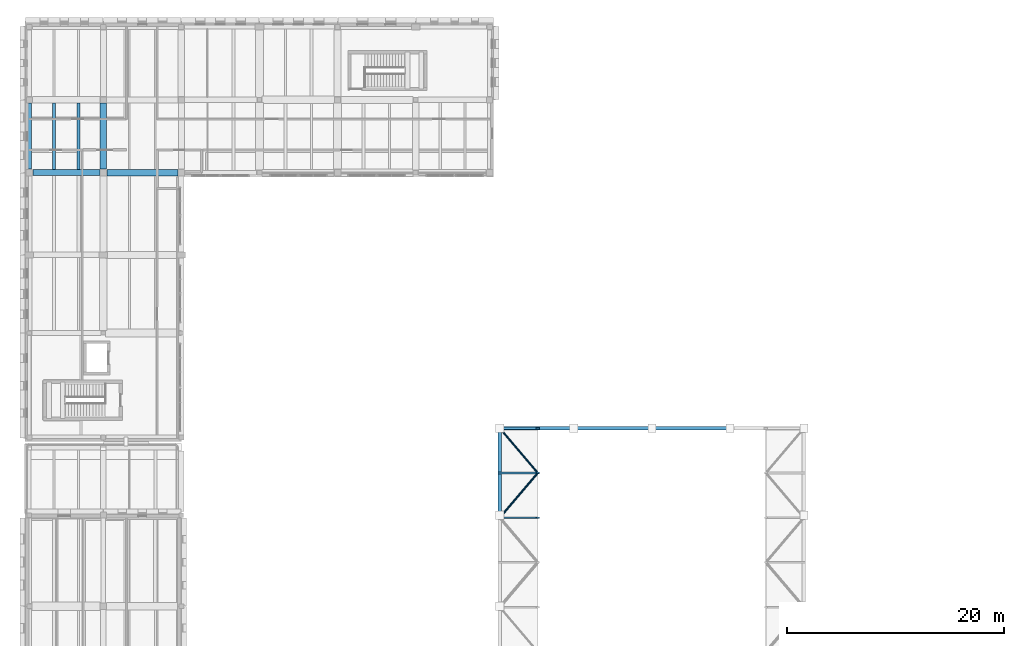
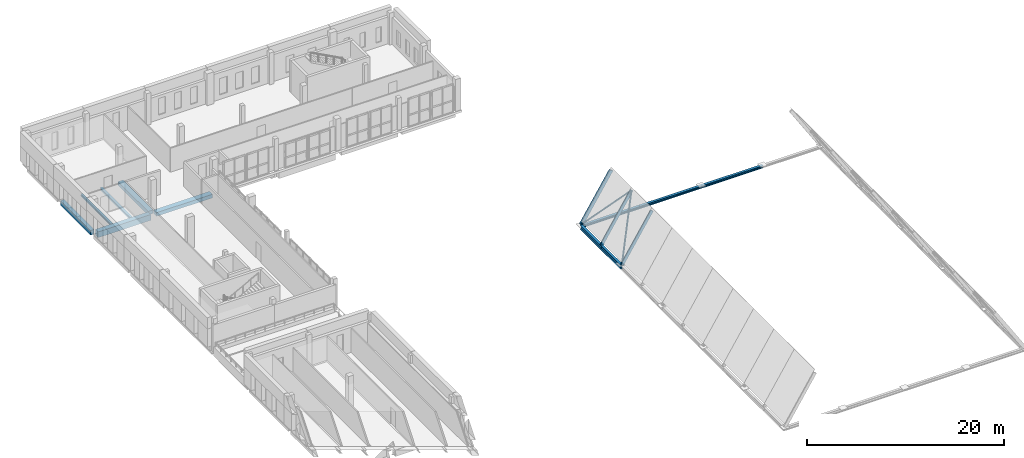
# One storey, part 16 of 56: 11 beams, 5 members.
"""IFC4 building model written with IfcOpenShell, lengths in metres."""

import ifcopenshell
import ifcopenshell.guid

model = None  # the IFC model being written
_history = None  # IfcOwnerHistory: only IFC2X3 demands one
_inside = {}  # id of a spatial element -> (the spatial element, [elements in it])
_under = {}  # id of a project, library or spatial element -> (it, [spatial elements below it])
_declared = {}  # id of a project -> (the project, [libraries it declares])
_typed = {}  # id of a type object -> (the type object, [elements of that type])
_made_of = {}  # id of a material, layer set ... -> (it, [elements and type objects made of it])


def new_model(schema):
    """Start an empty IFC model of exactly this schema.

    Asked for "IFC4X3", IfcOpenShell would pick the latest addendum, in which some entities
    have other attributes; the version numbers below select the first issue.
    IFC2X3 requires an IfcOwnerHistory on every rooted entity: one is made here for all.
    """
    global model, _history
    if schema == "IFC4X3":
        model = ifcopenshell.file(schema_version=(4, 3, 0, 0))
    else:
        model = ifcopenshell.file(schema=schema)
    _inside.clear()
    _under.clear()
    _declared.clear()
    _typed.clear()
    _made_of.clear()
    _history = None
    if model.schema == "IFC2X3":
        org = make("IfcOrganization", Name="unknown")
        user = make(
            "IfcPersonAndOrganization",
            ThePerson=make("IfcPerson", FamilyName="unknown"),
            TheOrganization=org,
        )
        app = make(
            "IfcApplication",
            ApplicationDeveloper=org,
            Version="unknown",
            ApplicationFullName="unknown",
            ApplicationIdentifier="unknown",
        )
        _history = make(
            "IfcOwnerHistory",
            OwningUser=user,
            OwningApplication=app,
            ChangeAction="ADDED",
            CreationDate=0,
        )
    return model


def make(cls, **values):
    """One entity of the class cls with the attributes given. An attribute that is None is left unset."""
    return model.create_entity(
        cls, **{name: value for name, value in values.items() if value is not None}
    )


def rooted(cls, **values):
    """An entity with a GlobalId (a new one), such as an element, a storey or a relation."""
    return make(cls, GlobalId=ifcopenshell.guid.new(), OwnerHistory=_history, **values)


def si_unit(unit_type, name, prefix=None):
    """IfcSIUnit, for example si_unit("LENGTHUNIT", "METRE", prefix="MILLI")."""
    return make("IfcSIUnit", UnitType=unit_type, Prefix=prefix, Name=name)


def assignment(units):
    """IfcUnitAssignment: the units of a project."""
    return None if units is None else make("IfcUnitAssignment", Units=units)


def point(xyz):
    """IfcCartesianPoint."""
    return None if xyz is None else make("IfcCartesianPoint", Coordinates=xyz)


def direction(xyz):
    """IfcDirection."""
    return None if xyz is None else make("IfcDirection", DirectionRatios=xyz)


def frame(location, z_axis=None, x_axis=None):
    """IfcAxis2Placement3D, a coordinate frame: its origin and axes. An axis left out is left unset."""
    return make(
        "IfcAxis2Placement3D",
        Location=point(location),
        Axis=direction(z_axis),
        RefDirection=direction(x_axis),
    )


def frame_2d(location, x_axis=None):
    """IfcAxis2Placement2D, a coordinate frame in the plane: its origin and x axis."""
    return make(
        "IfcAxis2Placement2D", Location=point(location), RefDirection=direction(x_axis)
    )


def origin():
    """The frame at (0, 0, 0) with its axes left unset."""
    return frame((0.0, 0.0, 0.0))


def origin_2d():
    """The frame at (0, 0) in the plane with its x axis left unset."""
    return frame_2d((0.0, 0.0))


def place(relative_to, where):
    """IfcLocalPlacement: puts the frame where relative to a parent placement (None: the world)."""
    return make(
        "IfcLocalPlacement", PlacementRelTo=relative_to, RelativePlacement=where
    )


def context(
    kind, dimensions, precision=None, world=None, true_north=None, identifier=None
):
    """IfcGeometricRepresentationContext, for example the 3D "Model" context."""
    return make(
        "IfcGeometricRepresentationContext",
        ContextIdentifier=identifier,
        ContextType=kind,
        CoordinateSpaceDimension=dimensions,
        Precision=precision,
        WorldCoordinateSystem=world,
        TrueNorth=true_north,
    )


def subcontext(parent, identifier, kind, view, scale=None):
    """IfcGeometricRepresentationSubContext, for example "Body" below "Model"."""
    return make(
        "IfcGeometricRepresentationSubContext",
        ContextIdentifier=identifier,
        ContextType=kind,
        ParentContext=parent,
        TargetScale=scale,
        TargetView=view,
    )


def project(units=None, contexts=None):
    """IfcProject with its units and contexts."""
    return rooted(
        "IfcProject",
        Name="project",
        RepresentationContexts=contexts,
        UnitsInContext=assignment(units),
    )


def spatial(cls, under=None, at=None, **own):
    """A site, building, storey or space (cls), placed at a placement, below another one or the project."""
    s = rooted(cls, ObjectPlacement=at, **own)
    if under is not None:
        _under.setdefault(under.id(), (under, []))[1].append(s)
    return s


def profile(cls, at=None, kind="AREA", **sizes):
    """A parametric profile (cls). Its sizes go by their IFC names, for example OverallWidth=200.0."""
    return make(cls, ProfileType=kind, Position=at, **sizes)


def rectangle(**sizes):
    """IfcRectangleProfileDef."""
    return profile("IfcRectangleProfileDef", **sizes)


def hollow_rectangle(**sizes):
    """IfcRectangleHollowProfileDef."""
    return profile("IfcRectangleHollowProfileDef", **sizes)


def hollow_circle(**sizes):
    """IfcCircleHollowProfileDef."""
    return profile("IfcCircleHollowProfileDef", **sizes)


def i_section(**sizes):
    """IfcIShapeProfileDef."""
    return profile("IfcIShapeProfileDef", **sizes)


def extrude(swept, where, along, depth):
    """IfcExtrudedAreaSolid: the profile swept, set in the frame where, extruded along a direction by depth."""
    return make(
        "IfcExtrudedAreaSolid",
        SweptArea=swept,
        Position=where,
        ExtrudedDirection=direction(along),
        Depth=depth,
    )


def shape(context_of_items, identifier, shape_type, items):
    """IfcShapeRepresentation: the items that make up one representation, for example the "Body"."""
    return make(
        "IfcShapeRepresentation",
        ContextOfItems=context_of_items,
        RepresentationIdentifier=identifier,
        RepresentationType=shape_type,
        Items=items,
    )


def material(Name=None, Category=None):
    """IfcMaterial."""
    return make("IfcMaterial", Name=Name, Category=Category)


def material_profile(
    of_material, cross_section, Name=None, Category=None, Priority=None
):
    """IfcMaterialProfile: a cross section and its material."""
    return make(
        "IfcMaterialProfile",
        Name=Name,
        Material=of_material,
        Profile=cross_section,
        Priority=Priority,
        Category=Category,
    )


def profile_set(profiles, Name=None, composite=None):
    """IfcMaterialProfileSet."""
    return make(
        "IfcMaterialProfileSet",
        Name=Name,
        MaterialProfiles=profiles,
        CompositeProfile=composite,
    )


def made_of(thing, what):
    """Note that an element or type object is made of a material, layer set ...; save() writes the relation."""
    if what is not None:
        _made_of.setdefault(what.id(), (what, []))[1].append(thing)
    return thing


def type_object(cls, material=None, **own):
    """A type object (cls), such as IfcWallType, which elements share."""
    return made_of(rooted(cls, **own), material)


def element(
    cls,
    number,
    at=None,
    inside=None,
    cuts=None,
    type_object=None,
    material=None,
    context=None,
    identifier="Body",
    shape_type=None,
    held_by="IfcProductDefinitionShape",
    body=None,
    shapes=None,
    **own,
):
    """One element of the class cls, such as IfcWall. Its Tag is "e" and its number.

    at: its placement. inside: the storey or other place that contains it. cuts: it is an
    opening in that element (IfcRelVoidsElement). A single representation is given by context,
    identifier, shape_type and body (its items); several are given by shapes. held_by: the class
    of the entity that holds the representations. save() writes the other relations.
    """
    e = rooted(cls, Tag="e%d" % number, ObjectPlacement=at, **own)
    if body is not None:
        shapes = [shape(context, identifier, shape_type, body)]
    if shapes is not None:
        e.Representation = make(held_by, Representations=shapes)
    if inside is not None:
        _inside.setdefault(inside.id(), (inside, []))[1].append(e)
    if cuts is not None:
        rooted(
            "IfcRelVoidsElement", RelatingBuildingElement=cuts, RelatedOpeningElement=e
        )
    if type_object is not None:
        _typed.setdefault(type_object.id(), (type_object, []))[1].append(e)
    return made_of(e, material)


def aggregate(whole, parts):
    """IfcRelAggregates: a whole, such as a stair, and the parts it consists of."""
    return rooted("IfcRelAggregates", RelatingObject=whole, RelatedObjects=parts)


def save(model, path):
    """Write the relations noted so far, then the file.

    IfcRelAggregates (storeys below a building ...), IfcRelContainedInSpatialStructure (elements
    in a storey), IfcRelDefinesByType, IfcRelAssociatesMaterial and IfcRelDeclares: one each for
    every whole, place, type object, material and project.
    """
    for whole, parts in _under.values():
        aggregate(whole, parts)
    for where, things in _inside.values():
        rooted(
            "IfcRelContainedInSpatialStructure",
            RelatedElements=things,
            RelatingStructure=where,
        )
    for kind, things in _typed.values():
        rooted("IfcRelDefinesByType", RelatedObjects=things, RelatingType=kind)
    for what, things in _made_of.values():
        rooted("IfcRelAssociatesMaterial", RelatedObjects=things, RelatingMaterial=what)
    for by, libraries in _declared.values():
        rooted("IfcRelDeclares", RelatingContext=by, RelatedDefinitions=libraries)
    model.write(path)


model = new_model("IFC4")

# Units and contexts
model_context = context("Model", 3, precision=1e-05, world=origin(), true_north=direction((0.0, 1.0)))
body_context = subcontext(model_context, "Body", "Model", "MODEL_VIEW")
ifc_project = project(units=[si_unit("LENGTHUNIT", "METRE"), si_unit("AREAUNIT", "SQUARE_METRE"), si_unit("VOLUMEUNIT", "CUBIC_METRE"), si_unit("PLANEANGLEUNIT", "RADIAN"), si_unit("MASSUNIT", "GRAM", prefix="KILO")], contexts=[model_context])

# Site, building, storey
site_placement = place(None, origin())
site = spatial("IfcSite", under=ifc_project, at=site_placement, CompositionType="ELEMENT")
building_placement = place(site_placement, origin())
building = spatial("IfcBuilding", under=site, at=building_placement, Name="Vardoun Plaza Health Centre", CompositionType="ELEMENT")
storey_placement = place(building_placement, frame((0.0, 0.0, 8.699951171875)))
storey = spatial("IfcBuildingStorey", under=building, at=storey_placement, Name="L02", CompositionType="ELEMENT", Elevation=8.699951171875)

# Beams
ifc_material_1 = material(Name="Concrete C35/45", Category="concrete")
ifc_material_profile_1 = material_profile(ifc_material_1, rectangle(XDim=0.419921875, YDim=0.580078125, at=origin_2d()), Name="RC-BM 420x580")
ifc_profile_set_1 = profile_set([ifc_material_profile_1], Name="Concrete C35/45")
beam_type_1 = type_object("IfcBeamType", Name="B-10", PredefinedType="SPANDREL", material=ifc_profile_set_1)
beam_1_placement = place(storey_placement, frame((4.8798828125, 101.804931640625, -0.554931640625), z_axis=(0.0, 1.0, 0.0), x_axis=(-1.0, 0.0, 0.0)))
element("IfcBeam", 1, at=beam_1_placement, inside=storey, type_object=beam_type_1, Name="V3 L02 Beam B-V3-L02-Y28", PredefinedType="SPANDREL", context=body_context, shape_type="SweptSolid", body=[
    extrude(rectangle(XDim=0.419921875, YDim=0.580078125, at=origin_2d()), origin(), (0.0, 0.0, 1.0), 6.09521484375),
])
ifc_material_2 = material(Name="Concrete C40/50", Category="concrete")
ifc_material_profile_2 = material_profile(ifc_material_2, rectangle(XDim=0.550048828125, YDim=0.719970703125, at=origin_2d()), Name="RC-BM 550x720")
ifc_profile_set_2 = profile_set([ifc_material_profile_2], Name="Concrete C40/50")
beam_type_2 = type_object("IfcBeamType", Name="B-14", PredefinedType="BEAM", material=ifc_profile_set_2)
beam_2_placement = place(storey_placement, frame((5.205078125, 101.47998046875, -0.625), z_axis=(1.0, 0.0, 0.0), x_axis=(0.0, 1.0, 0.0)))
element("IfcBeam", 2, at=beam_2_placement, inside=storey, type_object=beam_type_2, Name="V3 L02 Beam B-V3-L02-X04", PredefinedType="BEAM", context=body_context, shape_type="SweptSolid", body=[
    extrude(rectangle(XDim=0.550048828125, YDim=0.719970703125, at=origin_2d()), origin(), (0.0, 0.0, 1.0), 6.169921875),
])
ifc_material_3 = material(Name="Concrete C35/45", Category="concrete")
ifc_material_profile_3 = material_profile(ifc_material_3, rectangle(XDim=0.60009765625, YDim=0.449951171875, at=origin_2d()), Name="RC-BM 600x450")
ifc_profile_set_3 = profile_set([ifc_material_profile_3], Name="Concrete C35/45")
beam_type_3 = type_object("IfcBeamType", Name="B-04", PredefinedType="BEAM", material=ifc_profile_set_3)
beam_3_placement = place(storey_placement, frame((12.02490234375, 101.47998046875, -0.489990234375), z_axis=(1.0, 0.0, 0.0), x_axis=(0.0, 1.0, 0.0)))
element("IfcBeam", 3, at=beam_3_placement, inside=storey, type_object=beam_type_3, Name="V3 L02 Beam B-V3-L02-X10", PredefinedType="BEAM", context=body_context, shape_type="SweptSolid", body=[
    extrude(rectangle(XDim=0.60009765625, YDim=0.449951171875, at=origin_2d()), origin(), (0.0, 0.0, 1.0), 6.550048828125),
])
beam_4_placement = place(storey_placement, frame((11.699951171875, 101.804931640625, -0.489990234375), z_axis=(0.0, 1.0, 0.0), x_axis=(-1.0, 0.0, 0.0)))
element("IfcBeam", 4, at=beam_4_placement, inside=storey, type_object=beam_type_3, Name="V3 L02 Beam B-V3-L02-Y32", PredefinedType="BEAM", context=body_context, shape_type="SweptSolid", body=[
    extrude(rectangle(XDim=0.60009765625, YDim=0.449951171875, at=origin_2d()), origin(), (0.0, 0.0, 1.0), 6.09521484375),
])
ifc_material_4 = material(Name="Steel S355J2", Category="steel")
ifc_material_profile_4 = material_profile(ifc_material_4, i_section(OverallWidth=0.239990234375, OverallDepth=0.22998046875, WebThickness=0.007568359375, FlangeThickness=0.011962890625, FilletRadius=0.02099609375, at=origin_2d()), Name="HEA 240")
ifc_profile_set_4 = profile_set([ifc_material_profile_4], Name="Steel S355J2")
beam_type_4 = type_object("IfcBeamType", Name="SB-07", PredefinedType="BEAM", material=ifc_profile_set_4)
beam_5_placement = place(storey_placement, frame((7.153076171875, 101.7548828125, -0.3798828125), z_axis=(0.0, 1.0, 0.0), x_axis=(-1.0, 0.0, 0.0)))
element("IfcBeam", 5, at=beam_5_placement, inside=storey, type_object=beam_type_4, Name="V3 L02 Secondary Floor Beam SJ-V3-L02-03", PredefinedType="BEAM", context=body_context, shape_type="SweptSolid", body=[
    extrude(i_section(OverallWidth=0.239990234375, OverallDepth=0.22998046875, WebThickness=0.007568359375, FlangeThickness=0.011962890625, FilletRadius=0.02099609375, at=origin_2d()), origin(), (0.0, 0.0, 1.0), 6.145263671875),
])
ifc_material_5 = material(Name="Steel S355J2", Category="steel")
ifc_material_profile_5 = material_profile(ifc_material_5, i_section(OverallWidth=0.280029296875, OverallDepth=0.280029296875, WebThickness=0.010498046875, FlangeThickness=0.01806640625, FilletRadius=0.02392578125, at=origin_2d()), Name="HEB 280")
ifc_profile_set_5 = profile_set([ifc_material_profile_5], Name="Steel S355J2")
beam_type_5 = type_object("IfcBeamType", Name="SB-02", PredefinedType="BEAM", material=ifc_profile_set_5)
beam_6_placement = place(storey_placement, frame((9.427001953125, 101.7548828125, -0.405029296875), z_axis=(0.0, 1.0, 0.0), x_axis=(-1.0, 0.0, 0.0)))
element("IfcBeam", 6, at=beam_6_placement, inside=storey, type_object=beam_type_5, Name="V3 L02 Secondary Floor Beam SJ-V3-L02-07", PredefinedType="BEAM", context=body_context, shape_type="SweptSolid", body=[
    extrude(i_section(OverallWidth=0.280029296875, OverallDepth=0.280029296875, WebThickness=0.010498046875, FlangeThickness=0.01806640625, FilletRadius=0.02392578125, at=origin_2d()), origin(), (0.0, 0.0, 1.0), 6.145263671875),
])
ifc_material_6 = material(Name="Steel S355J2", Category="steel")
ifc_material_profile_6 = material_profile(ifc_material_6, i_section(OverallWidth=0.300048828125, OverallDepth=0.300048828125, WebThickness=0.010986328125, FlangeThickness=0.01904296875, FilletRadius=0.027099609375, at=origin_2d()), Name="HEB 300")
ifc_profile_set_6 = profile_set([ifc_material_profile_6], Name="Steel S355J2")
beam_type_6 = type_object("IfcBeamType", Name="SB-01", PredefinedType="BEAM", material=ifc_profile_set_6)
beam_7_placement = place(storey_placement, frame((48.260009765625, 77.919921875, -0.5), z_axis=(1.0, 0.0, 0.0), x_axis=(0.0, 1.0, 0.0)))
element("IfcBeam", 7, at=beam_7_placement, inside=storey, type_object=beam_type_6, Name="Gridshell Gable Tie Beam N01", PredefinedType="BEAM", context=body_context, shape_type="SweptSolid", body=[
    extrude(i_section(OverallWidth=0.300048828125, OverallDepth=0.300048828125, WebThickness=0.010986328125, FlangeThickness=0.01904296875, FilletRadius=0.027099609375, at=origin_2d()), origin(), (0.0, 0.0, 1.0), 6.820068359375),
])
for number, where, z_axis, x_axis, name in (
    (8, (55.080078125, 77.919921875, -0.5), (1.0, 0.0, 0.0), (0.0, 1.0, 0.0), "Gridshell Gable Tie Beam N02"),
    (9, (62.280029296875, 77.919921875, -0.5), (1.0, 0.0, 0.0), (0.0, 1.0, 0.0), "Gridshell Gable Tie Beam N03"),
):
    element("IfcBeam", number, at=place(storey_placement, frame(where, z_axis=z_axis, x_axis=x_axis)), inside=storey, type_object=beam_type_6, Name=name, PredefinedType="BEAM", context=body_context, shape_type="SweptSolid", body=[
        extrude(i_section(OverallWidth=0.300048828125, OverallDepth=0.300048828125, WebThickness=0.010986328125, FlangeThickness=0.01904296875, FilletRadius=0.027099609375, at=origin_2d()), origin(), (0.0, 0.0, 1.0), 7.199951171875),
    ])
ifc_material_7 = material(Name="Steel S355J2", Category="steel")
ifc_material_profile_7 = material_profile(ifc_material_7, i_section(OverallWidth=0.300048828125, OverallDepth=0.5, WebThickness=0.014404296875, FlangeThickness=0.028076171875, FilletRadius=0.027099609375, at=origin_2d()), Name="HEB 500")
ifc_profile_set_7 = profile_set([ifc_material_profile_7], Name="Steel S355J2")
beam_type_7 = type_object("IfcBeamType", Name="RB-01", PredefinedType="BEAM", material=ifc_profile_set_7)
beam_8_placement = place(storey_placement, frame((48.260009765625, 69.672119140625, -0.550048828125), z_axis=(0.0, 1.0, 0.0), x_axis=(-1.0, 0.0, 0.0)))
element("IfcBeam", 10, at=beam_8_placement, inside=storey, type_object=beam_type_7, Name="Gridshell Ring Beam W09", PredefinedType="BEAM", context=body_context, shape_type="SweptSolid", body=[
    extrude(i_section(OverallWidth=0.300048828125, OverallDepth=0.5, WebThickness=0.014404296875, FlangeThickness=0.028076171875, FilletRadius=0.027099609375, at=origin_2d()), origin(), (0.0, 0.0, 1.0), 4.123779296875),
])
beam_9_placement = place(storey_placement, frame((48.260009765625, 73.7958984375, -0.550048828125), z_axis=(0.0, 1.0, 0.0), x_axis=(-1.0, 0.0, 0.0)))
element("IfcBeam", 11, at=beam_9_placement, inside=storey, type_object=beam_type_7, Name="Gridshell Ring Beam W10", PredefinedType="BEAM", context=body_context, shape_type="SweptSolid", body=[
    extrude(i_section(OverallWidth=0.300048828125, OverallDepth=0.5, WebThickness=0.014404296875, FlangeThickness=0.028076171875, FilletRadius=0.027099609375, at=origin_2d()), origin(), (0.0, 0.0, 1.0), 4.1240234375),
])

# Members
ifc_material_8 = material(Name="Steel S355J2H", Category="steel")
ifc_material_profile_8 = material_profile(ifc_material_8, hollow_rectangle(XDim=0.199951171875, YDim=0.39990234375, WallThickness=0.012451171875, at=origin_2d()), Name="RHS 400x200x12.5")
ifc_profile_set_8 = profile_set([ifc_material_profile_8], Name="Steel S355J2H")
member_type_1 = type_object("IfcMemberType", Name="GS-A1", PredefinedType="CHORD", material=ifc_profile_set_8)
member_1_placement = place(storey_placement, frame((48.260009765625, 77.919921875, -0.300048828125), z_axis=(0.536527217757, 0.0, 0.843883015948), x_axis=(0.0, 1.0, 0.0)))
element("IfcMember", 12, at=member_1_placement, inside=storey, type_object=member_type_1, Name="Gridshell Arch Rib GA-11-01", PredefinedType="CHORD", context=body_context, shape_type="SweptSolid", body=[
    extrude(hollow_rectangle(XDim=0.199951171875, YDim=0.39990234375, WallThickness=0.012451171875, at=origin_2d()), origin(), (0.0, 0.0, 1.0), 6.532470703125),
])
ifc_material_9 = material(Name="Steel S355J2H", Category="steel")
ifc_material_profile_9 = material_profile(ifc_material_9, hollow_rectangle(XDim=0.14990234375, YDim=0.35009765625, WallThickness=0.010009765625, at=origin_2d()), Name="RHS 350x150x10.0")
ifc_profile_set_9 = profile_set([ifc_material_profile_9], Name="Steel S355J2H")
member_type_2 = type_object("IfcMemberType", Name="GS-A2", PredefinedType="CHORD", material=ifc_profile_set_9)
for number, where, z_axis, x_axis, name in (
    (13, (48.260009765625, 69.672119140625, -0.300048828125), (0.536527217757, 0.0, 0.843883015948), (0.0, 1.0, 0.0), "Gridshell Arch Rib GA-09-01"),
    (14, (48.260009765625, 73.7958984375, -0.300048828125), (0.536527217757, 0.0, 0.843883015948), (0.0, 1.0, 0.0), "Gridshell Arch Rib GA-10-01"),
):
    element("IfcMember", number, at=place(storey_placement, frame(where, z_axis=z_axis, x_axis=x_axis)), inside=storey, type_object=member_type_2, Name=name, PredefinedType="CHORD", context=body_context, shape_type="SweptSolid", body=[
        extrude(hollow_rectangle(XDim=0.14990234375, YDim=0.35009765625, WallThickness=0.010009765625, at=origin_2d()), origin(), (0.0, 0.0, 1.0), 6.532470703125),
    ])
ifc_material_10 = material(Name="Steel S355J2H", Category="steel")
ifc_material_profile_10 = material_profile(ifc_material_10, hollow_circle(Radius=0.096923828125, WallThickness=0.010009765625, at=origin_2d()), Name="CHS 193.7x10.0")
ifc_profile_set_10 = profile_set([ifc_material_profile_10], Name="Steel S355J2H")
member_type_3 = type_object("IfcMemberType", Name="GS-D3", PredefinedType="BRACE", material=ifc_profile_set_10)
member_2_placement = place(storey_placement, frame((48.260009765625, 69.672119140625, -0.300048828125), z_axis=(0.453691521469, 0.533804924013, 0.713593936666), x_axis=(-0.761969369094, 0.647613063922, 0.0)))
element("IfcMember", 15, at=member_2_placement, inside=storey, type_object=member_type_3, Name="Gridshell Diagonal GD-09-01", PredefinedType="BRACE", context=body_context, shape_type="SweptSolid", body=[
    extrude(hollow_circle(Radius=0.096923828125, WallThickness=0.010009765625, at=origin_2d()), origin(), (0.0, 0.0, 1.0), 7.725341796875),
])
ifc_material_11 = material(Name="Steel S355J2H", Category="steel")
ifc_material_profile_11 = material_profile(ifc_material_11, hollow_circle(Radius=0.0888671875, WallThickness=0.008056640625, at=origin_2d()), Name="CHS 177.8x8.0")
ifc_profile_set_11 = profile_set([ifc_material_profile_11], Name="Steel S355J2H")
member_type_4 = type_object("IfcMemberType", Name="GS-D4", PredefinedType="BRACE", material=ifc_profile_set_11)
member_3_placement = place(storey_placement, frame((48.260009765625, 77.919921875, -0.300048828125), z_axis=(0.453683867754, -0.533827521182, 0.713581898431), x_axis=(0.761988287779, 0.647590803893, 0.0)))
element("IfcMember", 16, at=member_3_placement, inside=storey, type_object=member_type_4, Name="Gridshell Diagonal GD-10-01", PredefinedType="BRACE", context=body_context, shape_type="SweptSolid", body=[
    extrude(hollow_circle(Radius=0.0888671875, WallThickness=0.008056640625, at=origin_2d()), origin(), (0.0, 0.0, 1.0), 7.725341796875),
])

save(model, "model.ifc")
